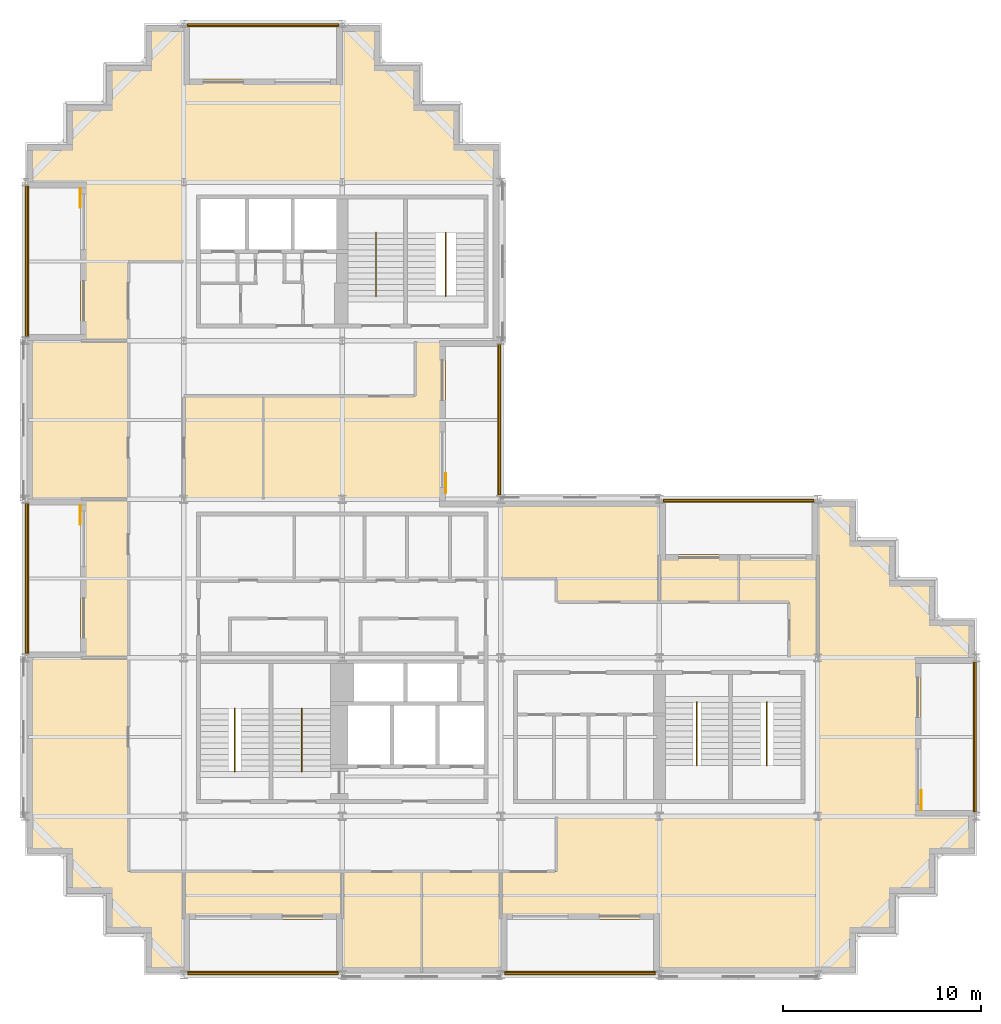
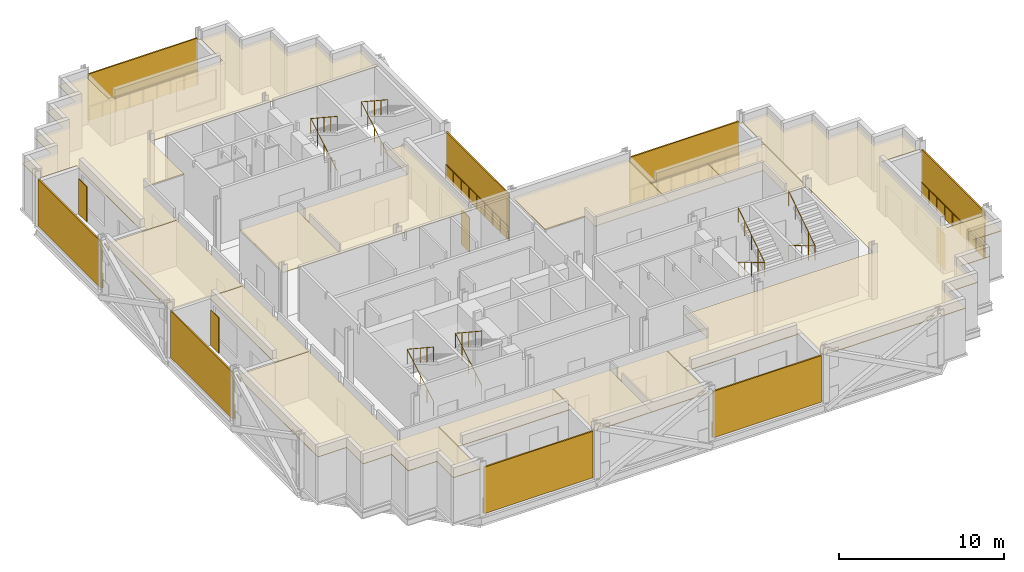
# One storey, part 10 of 10: 14 railings, 13 coverings, 12 shading devices.
"""IFC4 building model written with IfcOpenShell, lengths in metres."""

from ifc_helpers import new_model, si_unit, direction, frame, origin, origin_2d, place, context, subcontext, project, spatial, polyline, rectangle, circle, outline, extrude, material, layer, layer_set, type_object, element, save


model = new_model("IFC4")

# Units and contexts
model_context = context("Model", 3, precision=1e-05, world=origin(), true_north=direction((0.0, 1.0)))
body_context = subcontext(model_context, "Body", "Model", "MODEL_VIEW")
ifc_project = project(units=[si_unit("LENGTHUNIT", "METRE"), si_unit("AREAUNIT", "SQUARE_METRE"), si_unit("VOLUMEUNIT", "CUBIC_METRE"), si_unit("PLANEANGLEUNIT", "RADIAN"), si_unit("MASSUNIT", "GRAM", prefix="KILO")], contexts=[model_context])

# Site, building, storey
site_placement = place(None, origin())
site = spatial("IfcSite", under=ifc_project, at=site_placement, CompositionType="ELEMENT")
building_placement = place(site_placement, origin())
building = spatial("IfcBuilding", under=site, at=building_placement, Name="Immortelle Media Tower", CompositionType="ELEMENT")
storey_placement = place(building_placement, frame((0.0, 0.0, 162.0)))
storey = spatial("IfcBuildingStorey", under=building, at=storey_placement, Name="L33", CompositionType="ELEMENT", Elevation=162.0)

# Railings
ifc_material_1 = material(Name="Powder-coated aluminium fretwork panel, laminated glass backing", Category="aluminium")
railing_type_1 = type_object("IfcRailingType", Name="Fretwork balustrade 1100", PredefinedType="BALUSTRADE", material=ifc_material_1)
railing_1_placement = place(storey_placement, frame((8.202880859375, 0.139892578125, 0.0)))
element("IfcRailing", 1, at=railing_1_placement, inside=storey, type_object=railing_type_1, Name="Fretwork balustrade L33 S0", PredefinedType="BALUSTRADE", context=body_context, shape_type="SweptSolid", body=[
    extrude(circle(Radius=0.02490234375, at=origin_2d()), frame((0.0, 0.0, 1.0751953125), z_axis=(1.0, 0.0, 0.0), x_axis=(0.0, 1.0, 0.0)), (0.0, 0.0, 1.0), 7.591552734375),
    extrude(circle(Radius=0.02001953125, at=origin_2d()), origin(), (0.0, 0.0, 1.0), 1.050048828125),
    extrude(circle(Radius=0.02001953125, at=origin_2d()), frame((0.948974609375, 0.0, 0.0)), (0.0, 0.0, 1.0), 1.050048828125),
    extrude(circle(Radius=0.02001953125, at=origin_2d()), frame((1.89794921875, 0.0, 0.0)), (0.0, 0.0, 1.0), 1.050048828125),
    extrude(circle(Radius=0.02001953125, at=origin_2d()), frame((2.846923828125, 0.0, 0.0)), (0.0, 0.0, 1.0), 1.050048828125),
    extrude(circle(Radius=0.02001953125, at=origin_2d()), frame((3.7958984375, 0.0, 0.0)), (0.0, 0.0, 1.0), 1.050048828125),
    extrude(circle(Radius=0.02001953125, at=origin_2d()), frame((4.74462890625, 0.0, 0.0)), (0.0, 0.0, 1.0), 1.050048828125),
    extrude(circle(Radius=0.02001953125, at=origin_2d()), frame((5.693603515625, 0.0, 0.0)), (0.0, 0.0, 1.0), 1.050048828125),
    extrude(circle(Radius=0.02001953125, at=origin_2d()), frame((6.642578125, 0.0, 0.0)), (0.0, 0.0, 1.0), 1.050048828125),
    extrude(circle(Radius=0.02001953125, at=origin_2d()), frame((7.591552734375, 0.0, 0.0)), (0.0, 0.0, 1.0), 1.050048828125),
])
railing_2_placement = place(storey_placement, frame((24.20556640625, 0.139892578125, 0.0)))
element("IfcRailing", 2, at=railing_2_placement, inside=storey, type_object=railing_type_1, Name="Fretwork balustrade L33 S2", PredefinedType="BALUSTRADE", context=body_context, shape_type="SweptSolid", body=[
    extrude(circle(Radius=0.02490234375, at=origin_2d()), frame((0.0, 0.0, 1.0751953125), z_axis=(1.0, 0.0, 0.0), x_axis=(0.0, 1.0, 0.0)), (0.0, 0.0, 1.0), 7.5888671875),
    extrude(circle(Radius=0.02001953125, at=origin_2d()), origin(), (0.0, 0.0, 1.0), 1.050048828125),
    extrude(circle(Radius=0.02001953125, at=origin_2d()), frame((0.94873046875, 0.0, 0.0)), (0.0, 0.0, 1.0), 1.050048828125),
    extrude(circle(Radius=0.02001953125, at=origin_2d()), frame((1.897216796875, 0.0, 0.0)), (0.0, 0.0, 1.0), 1.050048828125),
    extrude(circle(Radius=0.02001953125, at=origin_2d()), frame((2.845703125, 0.0, 0.0)), (0.0, 0.0, 1.0), 1.050048828125),
    extrude(circle(Radius=0.02001953125, at=origin_2d()), frame((3.79443359375, 0.0, 0.0)), (0.0, 0.0, 1.0), 1.050048828125),
    extrude(circle(Radius=0.02001953125, at=origin_2d()), frame((4.7431640625, 0.0, 0.0)), (0.0, 0.0, 1.0), 1.050048828125),
    extrude(circle(Radius=0.02001953125, at=origin_2d()), frame((5.691650390625, 0.0, 0.0)), (0.0, 0.0, 1.0), 1.050048828125),
    extrude(circle(Radius=0.02001953125, at=origin_2d()), frame((6.64013671875, 0.0, 0.0)), (0.0, 0.0, 1.0), 1.050048828125),
    extrude(circle(Radius=0.02001953125, at=origin_2d()), frame((7.5888671875, 0.0, 0.0)), (0.0, 0.0, 1.0), 1.050048828125),
])
railing_3_placement = place(storey_placement, frame((47.860107421875, 8.20849609375, 0.0)))
element("IfcRailing", 3, at=railing_3_placement, inside=storey, type_object=railing_type_1, Name="Fretwork balustrade L33 E0", PredefinedType="BALUSTRADE", context=body_context, shape_type="SweptSolid", body=[
    extrude(circle(Radius=0.02490234375, at=origin_2d()), frame((0.0, 0.0, 1.0751953125), z_axis=(0.0, 1.0, 0.0), x_axis=(-1.0, 0.0, 0.0)), (0.0, 0.0, 1.0), 7.5830078125),
    extrude(circle(Radius=0.02001953125, at=origin_2d()), origin(), (0.0, 0.0, 1.0), 1.050048828125),
    extrude(circle(Radius=0.02001953125, at=origin_2d()), frame((0.0, 0.94775390625, 0.0)), (0.0, 0.0, 1.0), 1.050048828125),
    extrude(circle(Radius=0.02001953125, at=origin_2d()), frame((0.0, 1.895751953125, 0.0)), (0.0, 0.0, 1.0), 1.050048828125),
    extrude(circle(Radius=0.02001953125, at=origin_2d()), frame((0.0, 2.84375, 0.0)), (0.0, 0.0, 1.0), 1.050048828125),
    extrude(circle(Radius=0.02001953125, at=origin_2d()), frame((0.0, 3.79150390625, 0.0)), (0.0, 0.0, 1.0), 1.050048828125),
    extrude(circle(Radius=0.02001953125, at=origin_2d()), frame((0.0, 4.7392578125, 0.0)), (0.0, 0.0, 1.0), 1.050048828125),
    extrude(circle(Radius=0.02001953125, at=origin_2d()), frame((0.0, 5.687255859375, 0.0)), (0.0, 0.0, 1.0), 1.050048828125),
    extrude(circle(Radius=0.02001953125, at=origin_2d()), frame((0.0, 6.63525390625, 0.0)), (0.0, 0.0, 1.0), 1.050048828125),
    extrude(circle(Radius=0.02001953125, at=origin_2d()), frame((0.0, 7.5830078125, 0.0)), (0.0, 0.0, 1.0), 1.050048828125),
])
railing_4_placement = place(storey_placement, frame((39.797119140625, 23.860107421875, 0.0)))
element("IfcRailing", 4, at=railing_4_placement, inside=storey, type_object=railing_type_1, Name="Fretwork balustrade L33 N0", PredefinedType="BALUSTRADE", context=body_context, shape_type="SweptSolid", body=[
    extrude(circle(Radius=0.02490234375, at=origin_2d()), frame((0.0, 0.0, 1.0751953125), z_axis=(-1.0, 0.0, 0.0), x_axis=(0.0, -1.0, 0.0)), (0.0, 0.0, 1.0), 7.591552734375),
    extrude(circle(Radius=0.02001953125, at=origin_2d()), origin(), (0.0, 0.0, 1.0), 1.050048828125),
    extrude(circle(Radius=0.02001953125, at=origin_2d()), frame((-0.948974609375, 0.0, 0.0)), (0.0, 0.0, 1.0), 1.050048828125),
    extrude(circle(Radius=0.02001953125, at=origin_2d()), frame((-1.89794921875, 0.0, 0.0)), (0.0, 0.0, 1.0), 1.050048828125),
    extrude(circle(Radius=0.02001953125, at=origin_2d()), frame((-2.846923828125, 0.0, 0.0)), (0.0, 0.0, 1.0), 1.050048828125),
    extrude(circle(Radius=0.02001953125, at=origin_2d()), frame((-3.7958984375, 0.0, 0.0)), (0.0, 0.0, 1.0), 1.050048828125),
    extrude(circle(Radius=0.02001953125, at=origin_2d()), frame((-4.74462890625, 0.0, 0.0)), (0.0, 0.0, 1.0), 1.050048828125),
    extrude(circle(Radius=0.02001953125, at=origin_2d()), frame((-5.693603515625, 0.0, 0.0)), (0.0, 0.0, 1.0), 1.050048828125),
    extrude(circle(Radius=0.02001953125, at=origin_2d()), frame((-6.642578125, 0.0, 0.0)), (0.0, 0.0, 1.0), 1.050048828125),
    extrude(circle(Radius=0.02001953125, at=origin_2d()), frame((-7.591552734375, 0.0, 0.0)), (0.0, 0.0, 1.0), 1.050048828125),
])
railing_5_placement = place(storey_placement, frame((23.860107421875, 24.217041015625, 0.0)))
element("IfcRailing", 5, at=railing_5_placement, inside=storey, type_object=railing_type_1, Name="Fretwork balustrade L33 E0", PredefinedType="BALUSTRADE", context=body_context, shape_type="SweptSolid", body=[
    extrude(circle(Radius=0.02490234375, at=origin_2d()), frame((0.0, 0.0, 1.0751953125), z_axis=(0.0, 1.0, 0.0), x_axis=(-1.0, 0.0, 0.0)), (0.0, 0.0, 1.0), 7.58984375),
    extrude(circle(Radius=0.02001953125, at=origin_2d()), origin(), (0.0, 0.0, 1.0), 1.050048828125),
    extrude(circle(Radius=0.02001953125, at=origin_2d()), frame((0.0, 0.94873046875, 0.0)), (0.0, 0.0, 1.0), 1.050048828125),
    extrude(circle(Radius=0.02001953125, at=origin_2d()), frame((0.0, 1.8974609375, 0.0)), (0.0, 0.0, 1.0), 1.050048828125),
    extrude(circle(Radius=0.02001953125, at=origin_2d()), frame((0.0, 2.84619140625, 0.0)), (0.0, 0.0, 1.0), 1.050048828125),
    extrude(circle(Radius=0.02001953125, at=origin_2d()), frame((0.0, 3.794921875, 0.0)), (0.0, 0.0, 1.0), 1.050048828125),
    extrude(circle(Radius=0.02001953125, at=origin_2d()), frame((0.0, 4.74365234375, 0.0)), (0.0, 0.0, 1.0), 1.050048828125),
    extrude(circle(Radius=0.02001953125, at=origin_2d()), frame((0.0, 5.6923828125, 0.0)), (0.0, 0.0, 1.0), 1.050048828125),
    extrude(circle(Radius=0.02001953125, at=origin_2d()), frame((0.0, 6.64111328125, 0.0)), (0.0, 0.0, 1.0), 1.050048828125),
    extrude(circle(Radius=0.02001953125, at=origin_2d()), frame((0.0, 7.58984375, 0.0)), (0.0, 0.0, 1.0), 1.050048828125),
])
railing_6_placement = place(storey_placement, frame((15.8134765625, 47.860107421875, 0.0)))
element("IfcRailing", 6, at=railing_6_placement, inside=storey, type_object=railing_type_1, Name="Fretwork balustrade L33 N0", PredefinedType="BALUSTRADE", context=body_context, shape_type="SweptSolid", body=[
    extrude(circle(Radius=0.02490234375, at=origin_2d()), frame((0.0, 0.0, 1.0751953125), z_axis=(-1.0, 0.0, 0.0), x_axis=(0.0, -1.0, 0.0)), (0.0, 0.0, 1.0), 7.626953125),
    extrude(circle(Radius=0.02001953125, at=origin_2d()), origin(), (0.0, 0.0, 1.0), 1.050048828125),
    extrude(circle(Radius=0.02001953125, at=origin_2d()), frame((-0.953369140625, 0.0, 0.0)), (0.0, 0.0, 1.0), 1.050048828125),
    extrude(circle(Radius=0.02001953125, at=origin_2d()), frame((-1.90673828125, 0.0, 0.0)), (0.0, 0.0, 1.0), 1.050048828125),
    extrude(circle(Radius=0.02001953125, at=origin_2d()), frame((-2.860107421875, 0.0, 0.0)), (0.0, 0.0, 1.0), 1.050048828125),
    extrude(circle(Radius=0.02001953125, at=origin_2d()), frame((-3.8134765625, 0.0, 0.0)), (0.0, 0.0, 1.0), 1.050048828125),
    extrude(circle(Radius=0.02001953125, at=origin_2d()), frame((-4.766845703125, 0.0, 0.0)), (0.0, 0.0, 1.0), 1.050048828125),
    extrude(circle(Radius=0.02001953125, at=origin_2d()), frame((-5.72021484375, 0.0, 0.0)), (0.0, 0.0, 1.0), 1.050048828125),
    extrude(circle(Radius=0.02001953125, at=origin_2d()), frame((-6.673583984375, 0.0, 0.0)), (0.0, 0.0, 1.0), 1.050048828125),
    extrude(circle(Radius=0.02001953125, at=origin_2d()), frame((-7.626953125, 0.0, 0.0)), (0.0, 0.0, 1.0), 1.050048828125),
])
railing_7_placement = place(storey_placement, frame((0.139892578125, 39.81591796875, 0.0)))
element("IfcRailing", 7, at=railing_7_placement, inside=storey, type_object=railing_type_1, Name="Fretwork balustrade L33 W0", PredefinedType="BALUSTRADE", context=body_context, shape_type="SweptSolid", body=[
    extrude(circle(Radius=0.02490234375, at=origin_2d()), frame((0.0, 0.0, 1.0751953125), z_axis=(0.0, -1.0, 0.0), x_axis=(1.0, 0.0, 0.0)), (0.0, 0.0, 1.0), 7.622802734375),
    extrude(circle(Radius=0.02001953125, at=origin_2d()), origin(), (0.0, 0.0, 1.0), 1.050048828125),
    extrude(circle(Radius=0.02001953125, at=origin_2d()), frame((0.0, -0.952880859375, 0.0)), (0.0, 0.0, 1.0), 1.050048828125),
    extrude(circle(Radius=0.02001953125, at=origin_2d()), frame((0.0, -1.90576171875, 0.0)), (0.0, 0.0, 1.0), 1.050048828125),
    extrude(circle(Radius=0.02001953125, at=origin_2d()), frame((0.0, -2.858642578125, 0.0)), (0.0, 0.0, 1.0), 1.050048828125),
    extrude(circle(Radius=0.02001953125, at=origin_2d()), frame((0.0, -3.8115234375, 0.0)), (0.0, 0.0, 1.0), 1.050048828125),
    extrude(circle(Radius=0.02001953125, at=origin_2d()), frame((0.0, -4.76416015625, 0.0)), (0.0, 0.0, 1.0), 1.050048828125),
    extrude(circle(Radius=0.02001953125, at=origin_2d()), frame((0.0, -5.717041015625, 0.0)), (0.0, 0.0, 1.0), 1.050048828125),
    extrude(circle(Radius=0.02001953125, at=origin_2d()), frame((0.0, -6.669921875, 0.0)), (0.0, 0.0, 1.0), 1.050048828125),
    extrude(circle(Radius=0.02001953125, at=origin_2d()), frame((0.0, -7.622802734375, 0.0)), (0.0, 0.0, 1.0), 1.050048828125),
])
railing_8_placement = place(storey_placement, frame((0.139892578125, 23.806884765625, 0.0)))
element("IfcRailing", 8, at=railing_8_placement, inside=storey, type_object=railing_type_1, Name="Fretwork balustrade L33 W2", PredefinedType="BALUSTRADE", context=body_context, shape_type="SweptSolid", body=[
    extrude(circle(Radius=0.02490234375, at=origin_2d()), frame((0.0, 0.0, 1.0751953125), z_axis=(0.0, -1.0, 0.0), x_axis=(1.0, 0.0, 0.0)), (0.0, 0.0, 1.0), 7.58984375),
    extrude(circle(Radius=0.02001953125, at=origin_2d()), origin(), (0.0, 0.0, 1.0), 1.050048828125),
    extrude(circle(Radius=0.02001953125, at=origin_2d()), frame((0.0, -0.94873046875, 0.0)), (0.0, 0.0, 1.0), 1.050048828125),
    extrude(circle(Radius=0.02001953125, at=origin_2d()), frame((0.0, -1.8974609375, 0.0)), (0.0, 0.0, 1.0), 1.050048828125),
    extrude(circle(Radius=0.02001953125, at=origin_2d()), frame((0.0, -2.84619140625, 0.0)), (0.0, 0.0, 1.0), 1.050048828125),
    extrude(circle(Radius=0.02001953125, at=origin_2d()), frame((0.0, -3.794921875, 0.0)), (0.0, 0.0, 1.0), 1.050048828125),
    extrude(circle(Radius=0.02001953125, at=origin_2d()), frame((0.0, -4.74365234375, 0.0)), (0.0, 0.0, 1.0), 1.050048828125),
    extrude(circle(Radius=0.02001953125, at=origin_2d()), frame((0.0, -5.6923828125, 0.0)), (0.0, 0.0, 1.0), 1.050048828125),
    extrude(circle(Radius=0.02001953125, at=origin_2d()), frame((0.0, -6.64111328125, 0.0)), (0.0, 0.0, 1.0), 1.050048828125),
    extrude(circle(Radius=0.02001953125, at=origin_2d()), frame((0.0, -7.58984375, 0.0)), (0.0, 0.0, 1.0), 1.050048828125),
])

# Shading devices
ifc_material_2 = material(Name="Pale aluminium louvre blades", Category="aluminium")
ifc_layer_1 = layer(ifc_material_2, 0.10009765625)
ifc_layer_set_1 = layer_set([ifc_layer_1], Name="Pale aluminium louvre blades")
shading_device_type_1 = type_object("IfcShadingDeviceType", Name="Jalousie screen 100", PredefinedType="JALOUSIE", material=ifc_layer_set_1)
shading_device_1_placement = place(storey_placement, frame((11.998779296875, 0.050048828125, 0.0), z_axis=(0.0, 0.0, 1.0), x_axis=(1.0, 0.0, 0.0)))
element("IfcShadingDevice", 9, at=shading_device_1_placement, inside=storey, type_object=shading_device_type_1, Name="Jalousie screen L33 S0", PredefinedType="JALOUSIE", context=body_context, shape_type="SweptSolid", body=[
    extrude(rectangle(XDim=7.591552734375, YDim=0.10009765625, at=origin_2d()), origin(), (0.0, 0.0, 1.0), 3.43798828125),
])
shading_device_2_placement = place(storey_placement, frame((28.0, 0.050048828125, 0.0), z_axis=(0.0, 0.0, 1.0), x_axis=(1.0, 0.0, 0.0)))
element("IfcShadingDevice", 10, at=shading_device_2_placement, inside=storey, type_object=shading_device_type_1, Name="Jalousie screen L33 S2", PredefinedType="JALOUSIE", context=body_context, shape_type="SweptSolid", body=[
    extrude(rectangle(XDim=7.589111328125, YDim=0.10009765625, at=origin_2d()), origin(), (0.0, 0.0, 1.0), 3.43798828125),
])
shading_device_3_placement = place(storey_placement, frame((47.949951171875, 12.0, 0.0), z_axis=(0.0, 0.0, 1.0), x_axis=(0.0, 1.0, 0.0)))
element("IfcShadingDevice", 11, at=shading_device_3_placement, inside=storey, type_object=shading_device_type_1, Name="Jalousie screen L33 E0", PredefinedType="JALOUSIE", context=body_context, shape_type="SweptSolid", body=[
    extrude(rectangle(XDim=7.5830078125, YDim=0.10009765625, at=origin_2d()), origin(), (0.0, 0.0, 1.0), 3.43798828125),
])
shading_device_4_placement = place(storey_placement, frame((36.001220703125, 23.949951171875, 0.0), z_axis=(0.0, 0.0, 1.0), x_axis=(-1.0, 0.0, 0.0)))
element("IfcShadingDevice", 12, at=shading_device_4_placement, inside=storey, type_object=shading_device_type_1, Name="Jalousie screen L33 N0", PredefinedType="JALOUSIE", context=body_context, shape_type="SweptSolid", body=[
    extrude(rectangle(XDim=7.591552734375, YDim=0.10009765625, at=origin_2d()), origin(), (0.0, 0.0, 1.0), 3.43798828125),
])
shading_device_5_placement = place(storey_placement, frame((23.949951171875, 28.011962890625, 0.0), z_axis=(0.0, 0.0, 1.0), x_axis=(0.0, 1.0, 0.0)))
element("IfcShadingDevice", 13, at=shading_device_5_placement, inside=storey, type_object=shading_device_type_1, Name="Jalousie screen L33 E0", PredefinedType="JALOUSIE", context=body_context, shape_type="SweptSolid", body=[
    extrude(rectangle(XDim=7.590087890625, YDim=0.10009765625, at=origin_2d()), origin(), (0.0, 0.0, 1.0), 3.43798828125),
])
shading_device_6_placement = place(storey_placement, frame((12.0, 47.949951171875, 0.0), z_axis=(0.0, 0.0, 1.0), x_axis=(-1.0, 0.0, 0.0)))
element("IfcShadingDevice", 14, at=shading_device_6_placement, inside=storey, type_object=shading_device_type_1, Name="Jalousie screen L33 N0", PredefinedType="JALOUSIE", context=body_context, shape_type="SweptSolid", body=[
    extrude(rectangle(XDim=7.626953125, YDim=0.10009765625, at=origin_2d()), origin(), (0.0, 0.0, 1.0), 3.43798828125),
])
shading_device_7_placement = place(storey_placement, frame((0.050048828125, 36.00439453125, 0.0), z_axis=(0.0, 0.0, 1.0), x_axis=(0.0, -1.0, 0.0)))
element("IfcShadingDevice", 15, at=shading_device_7_placement, inside=storey, type_object=shading_device_type_1, Name="Jalousie screen L33 W0", PredefinedType="JALOUSIE", context=body_context, shape_type="SweptSolid", body=[
    extrude(rectangle(XDim=7.623046875, YDim=0.10009765625, at=origin_2d()), origin(), (0.0, 0.0, 1.0), 3.43798828125),
])
shading_device_8_placement = place(storey_placement, frame((0.050048828125, 20.011962890625, 0.0), z_axis=(0.0, 0.0, 1.0), x_axis=(0.0, -1.0, 0.0)))
element("IfcShadingDevice", 16, at=shading_device_8_placement, inside=storey, type_object=shading_device_type_1, Name="Jalousie screen L33 W2", PredefinedType="JALOUSIE", context=body_context, shape_type="SweptSolid", body=[
    extrude(rectangle(XDim=7.590087890625, YDim=0.10009765625, at=origin_2d()), origin(), (0.0, 0.0, 1.0), 3.43798828125),
])
ifc_material_3 = material(Name="Pale aluminium louvre blades in a folding frame", Category="aluminium")
ifc_layer_2 = layer(ifc_material_3, 0.050048828125)
ifc_layer_set_2 = layer_set([ifc_layer_2], Name="Pale aluminium louvre blades in a folding frame")
shading_device_type_2 = type_object("IfcShadingDeviceType", Name="Louvred loggia shutter", PredefinedType="SHUTTER", material=ifc_layer_set_2)
for number, where, z_axis, x_axis, name in (
    (17, (45.22509765625, 8.800048828125, 0.0), (0.0, 0.0, 1.0), (0.0, 1.0, 0.0), "Loggia shutter L33 E0"),
    (18, (21.22509765625, 24.800048828125, 0.0), (0.0, 0.0, 1.0), (0.0, 1.0, 0.0), "Loggia shutter L33 E0"),
    (19, (2.77490234375, 39.199951171875, 0.0), (0.0, 0.0, 1.0), (0.0, -1.0, 0.0), "Loggia shutter L33 W0"),
    (20, (2.77490234375, 23.199951171875, 0.0), (0.0, 0.0, 1.0), (0.0, -1.0, 0.0), "Loggia shutter L33 W2"),
):
    element("IfcShadingDevice", number, at=place(storey_placement, frame(where, z_axis=z_axis, x_axis=x_axis)), inside=storey, type_object=shading_device_type_2, Name=name, PredefinedType="SHUTTER", context=body_context, shape_type="SweptSolid", body=[
        extrude(rectangle(XDim=1.0, YDim=0.050048828125, at=origin_2d()), origin(), (0.0, 0.0, 1.0), 2.60009765625),
    ])

# Railings
ifc_material_4 = material(Name="Stainless steel AISI 316", Category="steel")
railing_type_2 = type_object("IfcRailingType", Name="Stair guard 1100", PredefinedType="GUARDRAIL", material=ifc_material_4)
for number, where, name in (
    (21, (10.574951171875, 10.25, 0.175048828125), "Stair guard SW1"),
    (22, (13.949951171875, 10.25, 0.175048828125), "Stair guard SW2"),
):
    element("IfcRailing", number, at=place(storey_placement, frame(where)), inside=storey, type_object=railing_type_2, Name=name, PredefinedType="GUARDRAIL", context=body_context, shape_type="SweptSolid", body=[
        extrude(circle(Radius=0.02392578125, at=origin_2d()), frame((0.0, 0.0, 1.076171875), z_axis=(0.0, 0.856177665481, 0.516681531633), x_axis=(-1.0, 0.0, 0.0)), (0.0, 0.0, 1.0), 3.725830078125),
        extrude(circle(Radius=0.02392578125, at=origin_2d()), frame((0.0, 3.18994140625, 3.0009765625), z_axis=(0.0, -0.835271834381, 0.549837214719), x_axis=(1.0, 0.0, 0.0)), (0.0, 0.0, 1.0), 3.819091796875),
        extrude(circle(Radius=0.02099609375, at=origin_2d()), origin(), (0.0, 0.0, 1.0), 1.052001953125),
        extrude(circle(Radius=0.02099609375, at=origin_2d()), frame((0.0, 0.79736328125, 0.481201171875)), (0.0, 0.0, 1.0), 1.052001953125),
        extrude(circle(Radius=0.02099609375, at=origin_2d()), frame((0.0, 1.594970703125, 0.96240234375)), (0.0, 0.0, 1.0), 1.052001953125),
        extrude(circle(Radius=0.02099609375, at=origin_2d()), frame((0.0, 2.392578125, 1.44384765625)), (0.0, 0.0, 1.0), 1.052001953125),
        extrude(circle(Radius=0.02099609375, at=origin_2d()), frame((0.0, 3.18994140625, 1.925048828125)), (0.0, 0.0, 1.0), 1.052001953125),
        extrude(circle(Radius=0.02099609375, at=origin_2d()), frame((0.0, 2.392578125, 2.449951171875)), (0.0, 0.0, 1.0), 1.052001953125),
        extrude(circle(Radius=0.02099609375, at=origin_2d()), frame((0.0, 1.594970703125, 2.97509765625)), (0.0, 0.0, 1.0), 1.052001953125),
        extrude(circle(Radius=0.02099609375, at=origin_2d()), frame((0.0, 0.79736328125, 3.5)), (0.0, 0.0, 1.0), 1.052001953125),
        extrude(circle(Radius=0.02099609375, at=origin_2d()), frame((0.0, 0.0, 4.02490234375)), (0.0, 0.0, 1.0), 1.052001953125),
    ])
for number, where, name in (
    (23, (33.89990234375, 13.75, 0.175048828125), "Stair guard SE1"),
    (24, (37.425048828125, 13.75, 0.175048828125), "Stair guard SE2"),
):
    element("IfcRailing", number, at=place(storey_placement, frame(where)), inside=storey, type_object=railing_type_2, Name=name, PredefinedType="GUARDRAIL", context=body_context, shape_type="SweptSolid", body=[
        extrude(circle(Radius=0.02392578125, at=origin_2d()), frame((0.0, 0.0, 1.076171875), z_axis=(0.0, -0.856177665481, 0.516681531633), x_axis=(1.0, 0.0, 0.0)), (0.0, 0.0, 1.0), 3.725830078125),
        extrude(circle(Radius=0.02392578125, at=origin_2d()), frame((0.0, -3.18994140625, 3.0009765625), z_axis=(0.0, 0.835271834381, 0.549837214719), x_axis=(-1.0, 0.0, 0.0)), (0.0, 0.0, 1.0), 3.819091796875),
        extrude(circle(Radius=0.02099609375, at=origin_2d()), origin(), (0.0, 0.0, 1.0), 1.052001953125),
        extrude(circle(Radius=0.02099609375, at=origin_2d()), frame((0.0, -0.79736328125, 0.481201171875)), (0.0, 0.0, 1.0), 1.052001953125),
        extrude(circle(Radius=0.02099609375, at=origin_2d()), frame((0.0, -1.594970703125, 0.96240234375)), (0.0, 0.0, 1.0), 1.052001953125),
        extrude(circle(Radius=0.02099609375, at=origin_2d()), frame((0.0, -2.392578125, 1.44384765625)), (0.0, 0.0, 1.0), 1.052001953125),
        extrude(circle(Radius=0.02099609375, at=origin_2d()), frame((0.0, -3.18994140625, 1.925048828125)), (0.0, 0.0, 1.0), 1.052001953125),
        extrude(circle(Radius=0.02099609375, at=origin_2d()), frame((0.0, -2.392578125, 2.449951171875)), (0.0, 0.0, 1.0), 1.052001953125),
        extrude(circle(Radius=0.02099609375, at=origin_2d()), frame((0.0, -1.594970703125, 2.97509765625)), (0.0, 0.0, 1.0), 1.052001953125),
        extrude(circle(Radius=0.02099609375, at=origin_2d()), frame((0.0, -0.79736328125, 3.5)), (0.0, 0.0, 1.0), 1.052001953125),
        extrude(circle(Radius=0.02099609375, at=origin_2d()), frame((0.0, 0.0, 4.02490234375)), (0.0, 0.0, 1.0), 1.052001953125),
    ])
for number, where, name in (
    (25, (17.699951171875, 34.25, 0.175048828125), "Stair guard NW1"),
    (26, (21.22509765625, 34.25, 0.175048828125), "Stair guard NW2"),
):
    element("IfcRailing", number, at=place(storey_placement, frame(where)), inside=storey, type_object=railing_type_2, Name=name, PredefinedType="GUARDRAIL", context=body_context, shape_type="SweptSolid", body=[
        extrude(circle(Radius=0.02392578125, at=origin_2d()), frame((0.0, 0.0, 1.076171875), z_axis=(0.0, 0.856177665481, 0.516681531633), x_axis=(-1.0, 0.0, 0.0)), (0.0, 0.0, 1.0), 3.725830078125),
        extrude(circle(Radius=0.02392578125, at=origin_2d()), frame((0.0, 3.18994140625, 3.0009765625), z_axis=(0.0, -0.835271834381, 0.549837214719), x_axis=(1.0, 0.0, 0.0)), (0.0, 0.0, 1.0), 3.819091796875),
        extrude(circle(Radius=0.02099609375, at=origin_2d()), origin(), (0.0, 0.0, 1.0), 1.052001953125),
        extrude(circle(Radius=0.02099609375, at=origin_2d()), frame((0.0, 0.79736328125, 0.481201171875)), (0.0, 0.0, 1.0), 1.052001953125),
        extrude(circle(Radius=0.02099609375, at=origin_2d()), frame((0.0, 1.594970703125, 0.96240234375)), (0.0, 0.0, 1.0), 1.052001953125),
        extrude(circle(Radius=0.02099609375, at=origin_2d()), frame((0.0, 2.392578125, 1.44384765625)), (0.0, 0.0, 1.0), 1.052001953125),
        extrude(circle(Radius=0.02099609375, at=origin_2d()), frame((0.0, 3.18994140625, 1.925048828125)), (0.0, 0.0, 1.0), 1.052001953125),
        extrude(circle(Radius=0.02099609375, at=origin_2d()), frame((0.0, 2.392578125, 2.449951171875)), (0.0, 0.0, 1.0), 1.052001953125),
        extrude(circle(Radius=0.02099609375, at=origin_2d()), frame((0.0, 1.594970703125, 2.97509765625)), (0.0, 0.0, 1.0), 1.052001953125),
        extrude(circle(Radius=0.02099609375, at=origin_2d()), frame((0.0, 0.79736328125, 3.5)), (0.0, 0.0, 1.0), 1.052001953125),
        extrude(circle(Radius=0.02099609375, at=origin_2d()), frame((0.0, 0.0, 4.02490234375)), (0.0, 0.0, 1.0), 1.052001953125),
    ])

# Coverings
ifc_material_5 = material(Name="Mineral fibre tile ceiling")
ifc_layer_3 = layer(ifc_material_5, 0.050048828125)
ifc_layer_set_3 = layer_set([ifc_layer_3], Name="Mineral fibre tile ceiling")
covering_type = type_object("IfcCoveringType", Name="Suspended ceiling 50", PredefinedType="CEILING", material=ifc_layer_set_3)
covering_1_placement = place(storey_placement, frame((0.0, 0.0, 3.303955078125)))
element("IfcCovering", 27, at=covering_1_placement, inside=storey, type_object=covering_type, Name="Ceiling L33-001", PredefinedType="CEILING", context=body_context, shape_type="SweptSolid", body=[
    extrude(outline(polyline([(16.0, 2.800048828125), (16.0, 5.199951171875), (20.0, 5.199951171875), (20.0, 0.10009765625), (16.0, 0.10009765625), (16.0, 2.800048828125)])), origin(), (0.0, 0.0, 1.0), 0.050048828125),
])
covering_2_placement = place(storey_placement, frame((0.0, 0.0, 3.303955078125)))
element("IfcCovering", 28, at=covering_2_placement, inside=storey, type_object=covering_type, Name="Ceiling L33-002", PredefinedType="CEILING", context=body_context, shape_type="SweptSolid", body=[
    extrude(outline(polyline([(24.0, 5.199951171875), (24.0, 2.800048828125), (24.0, 0.10009765625), (20.0, 0.10009765625), (20.0, 5.199951171875), (24.0, 5.199951171875)])), origin(), (0.0, 0.0, 1.0), 0.050048828125),
])
covering_3_placement = place(storey_placement, frame((0.0, 0.0, 3.303955078125)))
element("IfcCovering", 29, at=covering_3_placement, inside=storey, type_object=covering_type, Name="Ceiling L33-003", PredefinedType="CEILING", context=body_context, shape_type="SweptSolid", body=[
    extrude(outline(polyline([(8.0, 2.800048828125), (8.0, 5.199951171875), (16.0, 5.199951171875), (16.0, 2.800048828125), (8.0, 2.800048828125)])), origin(), (0.0, 0.0, 1.0), 0.050048828125),
])
covering_4_placement = place(storey_placement, frame((0.0, 0.0, 3.303955078125)))
element("IfcCovering", 30, at=covering_4_placement, inside=storey, type_object=covering_type, Name="Ceiling L33-004", PredefinedType="CEILING", context=body_context, shape_type="SweptSolid", body=[
    extrude(outline(polyline([(26.800048828125, 5.199951171875), (26.800048828125, 8.0), (32.0, 8.0), (40.0, 8.0), (40.0, 16.0), (40.0, 21.199951171875), (40.0, 23.89990234375), (41.89990234375, 23.89990234375), (41.89990234375, 21.89990234375), (43.89990234375, 21.89990234375), (43.89990234375, 19.89990234375), (45.89990234375, 19.89990234375), (45.89990234375, 17.89990234375), (47.89990234375, 17.89990234375), (47.89990234375, 16.0), (45.199951171875, 16.0), (45.199951171875, 8.0), (47.89990234375, 8.0), (47.89990234375, 6.10009765625), (45.89990234375, 6.10009765625), (45.89990234375, 4.10009765625), (43.89990234375, 4.10009765625), (43.89990234375, 2.10009765625), (41.89990234375, 2.10009765625), (41.89990234375, 0.10009765625), (40.0, 0.10009765625), (32.0, 0.10009765625), (32.0, 2.800048828125), (24.0, 2.800048828125), (24.0, 5.199951171875), (26.800048828125, 5.199951171875)])), origin(), (0.0, 0.0, 1.0), 0.050048828125),
])
covering_5_placement = place(storey_placement, frame((0.0, 0.0, 3.303955078125)))
element("IfcCovering", 31, at=covering_5_placement, inside=storey, type_object=covering_type, Name="Ceiling L33-005", PredefinedType="CEILING", context=body_context, shape_type="SweptSolid", body=[
    extrude(outline(polyline([(6.10009765625, 2.10009765625), (4.10009765625, 2.10009765625), (4.10009765625, 4.10009765625), (2.10009765625, 4.10009765625), (2.10009765625, 6.10009765625), (0.10009765625, 6.10009765625), (0.10009765625, 8.0), (0.10009765625, 16.0), (2.800048828125, 16.0), (5.199951171875, 16.0), (5.199951171875, 8.0), (5.199951171875, 5.199951171875), (8.0, 5.199951171875), (8.0, 2.800048828125), (8.0, 0.10009765625), (6.10009765625, 0.10009765625), (6.10009765625, 2.10009765625)])), origin(), (0.0, 0.0, 1.0), 0.050048828125),
])
covering_6_placement = place(storey_placement, frame((0.0, 0.0, 3.303955078125)))
element("IfcCovering", 32, at=covering_6_placement, inside=storey, type_object=covering_type, Name="Ceiling L33-006", PredefinedType="CEILING", context=body_context, shape_type="SweptSolid", body=[
    extrude(outline(polyline([(32.0, 18.800048828125), (32.0, 21.199951171875), (36.0, 21.199951171875), (36.0, 18.800048828125), (32.0, 18.800048828125)])), origin(), (0.0, 0.0, 1.0), 0.050048828125),
])
covering_7_placement = place(storey_placement, frame((0.0, 0.0, 3.303955078125)))
element("IfcCovering", 33, at=covering_7_placement, inside=storey, type_object=covering_type, Name="Ceiling L33-007", PredefinedType="CEILING", context=body_context, shape_type="SweptSolid", body=[
    extrude(outline(polyline([(38.550048828125, 18.800048828125), (36.0, 18.800048828125), (36.0, 21.199951171875), (40.0, 21.199951171875), (40.0, 16.0), (38.550048828125, 16.0), (38.550048828125, 18.800048828125)])), origin(), (0.0, 0.0, 1.0), 0.050048828125),
])
covering_8_placement = place(storey_placement, frame((0.0, 0.0, 3.303955078125)))
element("IfcCovering", 34, at=covering_8_placement, inside=storey, type_object=covering_type, Name="Ceiling L33-008", PredefinedType="CEILING", context=body_context, shape_type="SweptSolid", body=[
    extrude(outline(polyline([(5.199951171875, 19.449951171875), (5.199951171875, 16.0), (2.800048828125, 16.0), (2.800048828125, 24.0), (5.199951171875, 24.0), (5.199951171875, 19.449951171875)])), origin(), (0.0, 0.0, 1.0), 0.050048828125),
])
covering_9_placement = place(storey_placement, frame((0.0, 0.0, 3.303955078125)))
element("IfcCovering", 35, at=covering_9_placement, inside=storey, type_object=covering_type, Name="Ceiling L33-009", PredefinedType="CEILING", context=body_context, shape_type="SweptSolid", body=[
    extrude(outline(polyline([(27.0, 18.800048828125), (26.800048828125, 18.800048828125), (26.800048828125, 20.0), (24.0, 20.0), (24.0, 23.89990234375), (32.0, 23.89990234375), (32.0, 21.199951171875), (32.0, 18.800048828125), (27.0, 18.800048828125)])), origin(), (0.0, 0.0, 1.0), 0.050048828125),
])
covering_10_placement = place(storey_placement, frame((0.0, 0.0, 3.303955078125)))
element("IfcCovering", 36, at=covering_10_placement, inside=storey, type_object=covering_type, Name="Ceiling L33-010", PredefinedType="CEILING", context=body_context, shape_type="SweptSolid", body=[
    extrude(outline(polyline([(12.0, 29.199951171875), (12.0, 24.0), (8.0, 24.0), (8.0, 29.199951171875), (12.0, 29.199951171875)])), origin(), (0.0, 0.0, 1.0), 0.050048828125),
])
covering_11_placement = place(storey_placement, frame((0.0, 0.0, 3.303955078125)))
element("IfcCovering", 37, at=covering_11_placement, inside=storey, type_object=covering_type, Name="Ceiling L33-011", PredefinedType="CEILING", context=body_context, shape_type="SweptSolid", body=[
    extrude(outline(polyline([(12.199951171875, 29.199951171875), (12.39990234375, 29.199951171875), (16.0, 29.199951171875), (19.699951171875, 29.199951171875), (19.699951171875, 32.0), (21.199951171875, 32.0), (21.199951171875, 24.0), (16.0, 24.0), (12.0, 24.0), (12.0, 29.199951171875), (12.199951171875, 29.199951171875)])), origin(), (0.0, 0.0, 1.0), 0.050048828125),
])
covering_12_placement = place(storey_placement, frame((0.0, 0.0, 3.303955078125)))
element("IfcCovering", 38, at=covering_12_placement, inside=storey, type_object=covering_type, Name="Ceiling L33-012", PredefinedType="CEILING", context=body_context, shape_type="SweptSolid", body=[
    extrude(outline(polyline([(5.199951171875, 29.199951171875), (5.199951171875, 24.0), (2.800048828125, 24.0), (0.10009765625, 24.0), (0.10009765625, 32.0), (2.800048828125, 32.0), (5.199951171875, 32.0), (5.199951171875, 29.199951171875)])), origin(), (0.0, 0.0, 1.0), 0.050048828125),
])
covering_13_placement = place(storey_placement, frame((0.0, 0.0, 3.303955078125)))
element("IfcCovering", 39, at=covering_13_placement, inside=storey, type_object=covering_type, Name="Ceiling L33-013", PredefinedType="CEILING", context=body_context, shape_type="SweptSolid", body=[
    extrude(outline(polyline([(2.800048828125, 40.0), (0.10009765625, 40.0), (0.10009765625, 41.89990234375), (2.10009765625, 41.89990234375), (2.10009765625, 43.89990234375), (4.10009765625, 43.89990234375), (4.10009765625, 45.89990234375), (6.10009765625, 45.89990234375), (6.10009765625, 47.89990234375), (8.0, 47.89990234375), (8.0, 45.199951171875), (16.0, 45.199951171875), (16.0, 47.89990234375), (17.89990234375, 47.89990234375), (17.89990234375, 45.89990234375), (19.89990234375, 45.89990234375), (19.89990234375, 43.89990234375), (21.89990234375, 43.89990234375), (21.89990234375, 41.89990234375), (23.89990234375, 41.89990234375), (23.89990234375, 40.0), (16.0, 40.0), (8.0, 40.0), (8.0, 36.0), (5.199951171875, 36.0), (5.199951171875, 32.0), (2.800048828125, 32.0), (2.800048828125, 40.0)])), origin(), (0.0, 0.0, 1.0), 0.050048828125),
])

save(model, "model.ifc")
